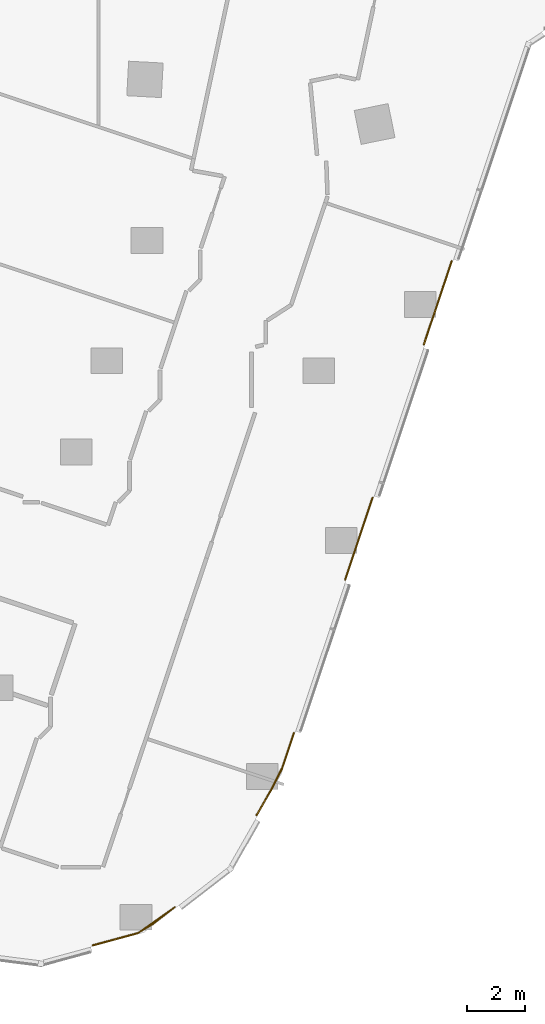
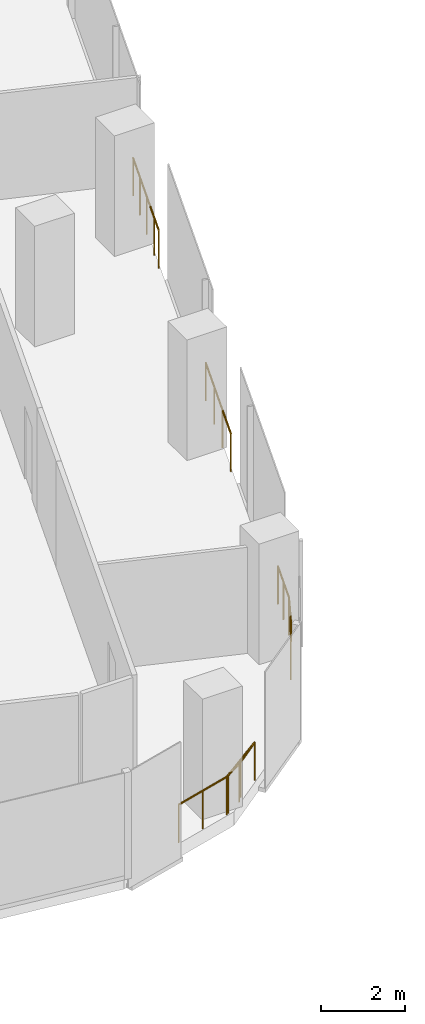
# One storey, part 30 of 34: 7 railings.
"""IFC4 building model written with IfcOpenShell, lengths in metres."""

import ifcopenshell
import ifcopenshell.guid

model = None  # the IFC model being written
_history = None  # IfcOwnerHistory: only IFC2X3 demands one
_inside = {}  # id of a spatial element -> (the spatial element, [elements in it])
_under = {}  # id of a project, library or spatial element -> (it, [spatial elements below it])
_declared = {}  # id of a project -> (the project, [libraries it declares])
_typed = {}  # id of a type object -> (the type object, [elements of that type])
_made_of = {}  # id of a material, layer set ... -> (it, [elements and type objects made of it])


def new_model(schema):
    """Start an empty IFC model of exactly this schema.

    Asked for "IFC4X3", IfcOpenShell would pick the latest addendum, in which some entities
    have other attributes; the version numbers below select the first issue.
    IFC2X3 requires an IfcOwnerHistory on every rooted entity: one is made here for all.
    """
    global model, _history
    if schema == "IFC4X3":
        model = ifcopenshell.file(schema_version=(4, 3, 0, 0))
    else:
        model = ifcopenshell.file(schema=schema)
    _inside.clear()
    _under.clear()
    _declared.clear()
    _typed.clear()
    _made_of.clear()
    _history = None
    if model.schema == "IFC2X3":
        org = make("IfcOrganization", Name="unknown")
        user = make(
            "IfcPersonAndOrganization",
            ThePerson=make("IfcPerson", FamilyName="unknown"),
            TheOrganization=org,
        )
        app = make(
            "IfcApplication",
            ApplicationDeveloper=org,
            Version="unknown",
            ApplicationFullName="unknown",
            ApplicationIdentifier="unknown",
        )
        _history = make(
            "IfcOwnerHistory",
            OwningUser=user,
            OwningApplication=app,
            ChangeAction="ADDED",
            CreationDate=0,
        )
    return model


def make(cls, **values):
    """One entity of the class cls with the attributes given. An attribute that is None is left unset."""
    return model.create_entity(
        cls, **{name: value for name, value in values.items() if value is not None}
    )


def rooted(cls, **values):
    """An entity with a GlobalId (a new one), such as an element, a storey or a relation."""
    return make(cls, GlobalId=ifcopenshell.guid.new(), OwnerHistory=_history, **values)


def si_unit(unit_type, name, prefix=None):
    """IfcSIUnit, for example si_unit("LENGTHUNIT", "METRE", prefix="MILLI")."""
    return make("IfcSIUnit", UnitType=unit_type, Prefix=prefix, Name=name)


def assignment(units):
    """IfcUnitAssignment: the units of a project."""
    return None if units is None else make("IfcUnitAssignment", Units=units)


def point(xyz):
    """IfcCartesianPoint."""
    return None if xyz is None else make("IfcCartesianPoint", Coordinates=xyz)


def direction(xyz):
    """IfcDirection."""
    return None if xyz is None else make("IfcDirection", DirectionRatios=xyz)


def frame(location, z_axis=None, x_axis=None):
    """IfcAxis2Placement3D, a coordinate frame: its origin and axes. An axis left out is left unset."""
    return make(
        "IfcAxis2Placement3D",
        Location=point(location),
        Axis=direction(z_axis),
        RefDirection=direction(x_axis),
    )


def frame_2d(location, x_axis=None):
    """IfcAxis2Placement2D, a coordinate frame in the plane: its origin and x axis."""
    return make(
        "IfcAxis2Placement2D", Location=point(location), RefDirection=direction(x_axis)
    )


def origin():
    """The frame at (0, 0, 0) with its axes left unset."""
    return frame((0.0, 0.0, 0.0))


def origin_2d():
    """The frame at (0, 0) in the plane with its x axis left unset."""
    return frame_2d((0.0, 0.0))


def place(relative_to, where):
    """IfcLocalPlacement: puts the frame where relative to a parent placement (None: the world)."""
    return make(
        "IfcLocalPlacement", PlacementRelTo=relative_to, RelativePlacement=where
    )


def context(
    kind, dimensions, precision=None, world=None, true_north=None, identifier=None
):
    """IfcGeometricRepresentationContext, for example the 3D "Model" context."""
    return make(
        "IfcGeometricRepresentationContext",
        ContextIdentifier=identifier,
        ContextType=kind,
        CoordinateSpaceDimension=dimensions,
        Precision=precision,
        WorldCoordinateSystem=world,
        TrueNorth=true_north,
    )


def subcontext(parent, identifier, kind, view, scale=None):
    """IfcGeometricRepresentationSubContext, for example "Body" below "Model"."""
    return make(
        "IfcGeometricRepresentationSubContext",
        ContextIdentifier=identifier,
        ContextType=kind,
        ParentContext=parent,
        TargetScale=scale,
        TargetView=view,
    )


def project(units=None, contexts=None):
    """IfcProject with its units and contexts."""
    return rooted(
        "IfcProject",
        Name="project",
        RepresentationContexts=contexts,
        UnitsInContext=assignment(units),
    )


def spatial(cls, under=None, at=None, **own):
    """A site, building, storey or space (cls), placed at a placement, below another one or the project."""
    s = rooted(cls, ObjectPlacement=at, **own)
    if under is not None:
        _under.setdefault(under.id(), (under, []))[1].append(s)
    return s


def profile(cls, at=None, kind="AREA", **sizes):
    """A parametric profile (cls). Its sizes go by their IFC names, for example OverallWidth=200.0."""
    return make(cls, ProfileType=kind, Position=at, **sizes)


def circle(**sizes):
    """IfcCircleProfileDef."""
    return profile("IfcCircleProfileDef", **sizes)


def extrude(swept, where, along, depth):
    """IfcExtrudedAreaSolid: the profile swept, set in the frame where, extruded along a direction by depth."""
    return make(
        "IfcExtrudedAreaSolid",
        SweptArea=swept,
        Position=where,
        ExtrudedDirection=direction(along),
        Depth=depth,
    )


def shape(context_of_items, identifier, shape_type, items):
    """IfcShapeRepresentation: the items that make up one representation, for example the "Body"."""
    return make(
        "IfcShapeRepresentation",
        ContextOfItems=context_of_items,
        RepresentationIdentifier=identifier,
        RepresentationType=shape_type,
        Items=items,
    )


def material(Name=None, Category=None):
    """IfcMaterial."""
    return make("IfcMaterial", Name=Name, Category=Category)


def made_of(thing, what):
    """Note that an element or type object is made of a material, layer set ...; save() writes the relation."""
    if what is not None:
        _made_of.setdefault(what.id(), (what, []))[1].append(thing)
    return thing


def type_object(cls, material=None, **own):
    """A type object (cls), such as IfcWallType, which elements share."""
    return made_of(rooted(cls, **own), material)


def element(
    cls,
    number,
    at=None,
    inside=None,
    cuts=None,
    type_object=None,
    material=None,
    context=None,
    identifier="Body",
    shape_type=None,
    held_by="IfcProductDefinitionShape",
    body=None,
    shapes=None,
    **own,
):
    """One element of the class cls, such as IfcWall. Its Tag is "e" and its number.

    at: its placement. inside: the storey or other place that contains it. cuts: it is an
    opening in that element (IfcRelVoidsElement). A single representation is given by context,
    identifier, shape_type and body (its items); several are given by shapes. held_by: the class
    of the entity that holds the representations. save() writes the other relations.
    """
    e = rooted(cls, Tag="e%d" % number, ObjectPlacement=at, **own)
    if body is not None:
        shapes = [shape(context, identifier, shape_type, body)]
    if shapes is not None:
        e.Representation = make(held_by, Representations=shapes)
    if inside is not None:
        _inside.setdefault(inside.id(), (inside, []))[1].append(e)
    if cuts is not None:
        rooted(
            "IfcRelVoidsElement", RelatingBuildingElement=cuts, RelatedOpeningElement=e
        )
    if type_object is not None:
        _typed.setdefault(type_object.id(), (type_object, []))[1].append(e)
    return made_of(e, material)


def aggregate(whole, parts):
    """IfcRelAggregates: a whole, such as a stair, and the parts it consists of."""
    return rooted("IfcRelAggregates", RelatingObject=whole, RelatedObjects=parts)


def save(model, path):
    """Write the relations noted so far, then the file.

    IfcRelAggregates (storeys below a building ...), IfcRelContainedInSpatialStructure (elements
    in a storey), IfcRelDefinesByType, IfcRelAssociatesMaterial and IfcRelDeclares: one each for
    every whole, place, type object, material and project.
    """
    for whole, parts in _under.values():
        aggregate(whole, parts)
    for where, things in _inside.values():
        rooted(
            "IfcRelContainedInSpatialStructure",
            RelatedElements=things,
            RelatingStructure=where,
        )
    for kind, things in _typed.values():
        rooted("IfcRelDefinesByType", RelatedObjects=things, RelatingType=kind)
    for what, things in _made_of.values():
        rooted("IfcRelAssociatesMaterial", RelatedObjects=things, RelatingMaterial=what)
    for by, libraries in _declared.values():
        rooted("IfcRelDeclares", RelatingContext=by, RelatedDefinitions=libraries)
    model.write(path)


model = new_model("IFC4")

# Units and contexts
model_context = context("Model", 3, precision=1e-05, world=origin(), true_north=direction((0.0, 1.0)))
body_context = subcontext(model_context, "Body", "Model", "MODEL_VIEW")
ifc_project = project(units=[si_unit("LENGTHUNIT", "METRE"), si_unit("AREAUNIT", "SQUARE_METRE"), si_unit("VOLUMEUNIT", "CUBIC_METRE"), si_unit("PLANEANGLEUNIT", "RADIAN"), si_unit("MASSUNIT", "GRAM", prefix="KILO")], contexts=[model_context])

# Site, building, storey
site_placement = place(None, origin())
site = spatial("IfcSite", under=ifc_project, at=site_placement, CompositionType="ELEMENT")
building_placement = place(site_placement, origin())
building = spatial("IfcBuilding", under=site, at=building_placement, Name="Orlundy Tower", CompositionType="ELEMENT")
storey_placement = place(building_placement, frame((0.0, 0.0, 145.60009765625)))
storey = spatial("IfcBuildingStorey", under=building, at=storey_placement, Name="L37", CompositionType="ELEMENT", Elevation=145.60009765625)

# Railings
ifc_material = material(Name="Stainless steel bronze finish", Category="steel")
railing_type = type_object("IfcRailingType", Name="TG1 terrace guard", PredefinedType="GUARDRAIL", material=ifc_material)
railing_1_placement = place(storey_placement, frame((3.542724609375, -52.315673828125, 0.0)))
element("IfcRailing", 1, at=railing_1_placement, inside=storey, type_object=railing_type, Name="Guard TG-L37-E03", PredefinedType="GUARDRAIL", context=body_context, shape_type="SweptSolid", body=[
    extrude(circle(Radius=0.02490234375, at=origin_2d()), frame((0.0, 0.0, 1.09521484375), z_axis=(-0.317344301055, -0.94831038937, 0.0), x_axis=(0.94831038937, -0.317344301055, 0.0)), (0.0, 0.0, 1.0), 1.311767578125),
    extrude(circle(Radius=0.02490234375, at=origin_2d()), frame((-0.416259765625, -1.243896484375, 1.09521484375), z_axis=(-0.455729014129, -0.890118568327, 0.0), x_axis=(0.890118568327, -0.455729014129, 0.0)), (0.0, 0.0, 1.0), 0.835205078125),
    extrude(circle(Radius=0.02490234375, at=origin_2d()), frame((-0.796875, -1.9873046875, 1.09521484375), z_axis=(-0.496217330647, -0.868198341836, 0.0), x_axis=(0.868198341836, -0.496217330647, 0.0)), (0.0, 0.0, 1.0), 1.006103515625),
    extrude(circle(Radius=0.02001953125, at=origin_2d()), origin(), (0.0, 0.0, 1.0), 1.070068359375),
    extrude(circle(Radius=0.02001953125, at=origin_2d()), frame((-0.2080078125, -0.6220703125, 0.0)), (0.0, 0.0, 1.0), 1.070068359375),
    extrude(circle(Radius=0.02001953125, at=origin_2d()), frame((-0.416259765625, -1.243896484375, 0.0)), (0.0, 0.0, 1.0), 1.070068359375),
    extrude(circle(Radius=0.02001953125, at=origin_2d()), frame((-0.796875, -1.9873046875, 0.0)), (0.0, 0.0, 1.0), 1.070068359375),
    extrude(circle(Radius=0.02001953125, at=origin_2d()), frame((-1.296142578125, -2.86083984375, 0.0)), (0.0, 0.0, 1.0), 1.070068359375),
])
railing_2_placement = place(storey_placement, frame((-1.87255859375, -59.263916015625, 0.0)))
element("IfcRailing", 2, at=railing_2_placement, inside=storey, type_object=railing_type, Name="Guard TG-L37-E04", PredefinedType="GUARDRAIL", context=body_context, shape_type="SweptSolid", body=[
    extrude(circle(Radius=0.02490234375, at=origin_2d()), frame((0.0, 0.0, 1.09521484375), z_axis=(0.818385064786, 0.574670240865, 0.0), x_axis=(-0.574670240865, 0.818385064786, 0.0)), (0.0, 0.0, 1.0), 1.57275390625),
    extrude(circle(Radius=0.02490234375, at=origin_2d()), frame((1.287109375, 0.90380859375, 1.09521484375), z_axis=(-0.790536165342, -0.612415358467, 0.0), x_axis=(0.612415358467, -0.790536165342, 0.0)), (0.0, 0.0, 1.0), 0.975830078125),
    extrude(circle(Radius=0.02490234375, at=origin_2d()), frame((0.515625, 0.30615234375, 1.09521484375), z_axis=(-0.859680895714, -0.510831437506, 0.0), x_axis=(0.510831437506, -0.859680895714, 0.0)), (0.0, 0.0, 1.0), 0.53955078125),
    extrude(circle(Radius=0.02001953125, at=origin_2d()), origin(), (0.0, 0.0, 1.0), 1.070068359375),
    extrude(circle(Radius=0.02001953125, at=origin_2d()), frame((0.6435546875, 0.451904296875, 0.0)), (0.0, 0.0, 1.0), 1.070068359375),
    extrude(circle(Radius=0.02001953125, at=origin_2d()), frame((1.287109375, 0.90380859375, 0.0)), (0.0, 0.0, 1.0), 1.070068359375),
    extrude(circle(Radius=0.02001953125, at=origin_2d()), frame((0.515625, 0.30615234375, 0.0)), (0.0, 0.0, 1.0), 1.070068359375),
    extrude(circle(Radius=0.02001953125, at=origin_2d()), frame((0.0517578125, 0.030517578125, 0.0)), (0.0, 0.0, 1.0), 1.070068359375),
])
railing_3_placement = place(storey_placement, frame((6.27392578125, -44.1533203125, 0.0)))
element("IfcRailing", 3, at=railing_3_placement, inside=storey, type_object=railing_type, Name="Guard TG-L37-E06", PredefinedType="GUARDRAIL", context=body_context, shape_type="SweptSolid", body=[
    extrude(circle(Radius=0.02490234375, at=origin_2d()), frame((0.0, 0.0, 1.09521484375), z_axis=(-0.317303721117, -0.948323968149, 0.0), x_axis=(0.948323968149, -0.317303721117, 0.0)), (0.0, 0.0, 1.0), 2.99462890625),
    extrude(circle(Radius=0.02001953125, at=origin_2d()), origin(), (0.0, 0.0, 1.0), 1.070068359375),
    extrude(circle(Radius=0.02001953125, at=origin_2d()), frame((-0.316650390625, -0.946533203125, 0.0)), (0.0, 0.0, 1.0), 1.070068359375),
    extrude(circle(Radius=0.02001953125, at=origin_2d()), frame((-0.633544921875, -1.893310546875, 0.0)), (0.0, 0.0, 1.0), 1.070068359375),
    extrude(circle(Radius=0.02001953125, at=origin_2d()), frame((-0.9501953125, -2.83984375, 0.0)), (0.0, 0.0, 1.0), 1.070068359375),
])
railing_4_placement = place(storey_placement, frame((9.023193359375, -35.93701171875, 0.0)))
element("IfcRailing", 4, at=railing_4_placement, inside=storey, type_object=railing_type, Name="Guard TG-L37-E021", PredefinedType="GUARDRAIL", context=body_context, shape_type="SweptSolid", body=[
    extrude(circle(Radius=0.02490234375, at=origin_2d()), frame((0.0, 0.0, 1.09521484375), z_axis=(-0.317261148656, -0.948338211586, 0.0), x_axis=(0.948338211586, -0.317261148656, 0.0)), (0.0, 0.0, 1.0), 1.6298828125),
    extrude(circle(Radius=0.02001953125, at=origin_2d()), origin(), (0.0, 0.0, 1.0), 1.070068359375),
    extrude(circle(Radius=0.02001953125, at=origin_2d()), frame((-0.258544921875, -0.77294921875, 0.0)), (0.0, 0.0, 1.0), 1.070068359375),
    extrude(circle(Radius=0.02001953125, at=origin_2d()), frame((-0.51708984375, -1.545654296875, 0.0)), (0.0, 0.0, 1.0), 1.070068359375),
])
railing_5_placement = place(storey_placement, frame((-1.87255859375, -59.263916015625, 0.0)))
element("IfcRailing", 5, at=railing_5_placement, inside=storey, type_object=railing_type, Name="Guard TG-L37-E022", PredefinedType="GUARDRAIL", context=body_context, shape_type="SweptSolid", body=[
    extrude(circle(Radius=0.02490234375, at=origin_2d()), frame((0.0, 0.0, 1.09521484375), z_axis=(-0.964763821238, -0.263117405792, 0.0), x_axis=(0.263117405792, -0.964763821238, 0.0)), (0.0, 0.0, 1.0), 1.625732421875),
    extrude(circle(Radius=0.02001953125, at=origin_2d()), origin(), (0.0, 0.0, 1.0), 1.070068359375),
    extrude(circle(Radius=0.02001953125, at=origin_2d()), frame((-0.7841796875, -0.2138671875, 0.0)), (0.0, 0.0, 1.0), 1.070068359375),
    extrude(circle(Radius=0.02001953125, at=origin_2d()), frame((-1.568359375, -0.427734375, 0.0)), (0.0, 0.0, 1.0), 1.070068359375),
])
railing_6_placement = place(storey_placement, frame((8.506103515625, -37.482666015625, 0.0)))
element("IfcRailing", 6, at=railing_6_placement, inside=storey, type_object=railing_type, Name="Guard TG-L37-E028", PredefinedType="GUARDRAIL", context=body_context, shape_type="SweptSolid", body=[
    extrude(circle(Radius=0.02490234375, at=origin_2d()), frame((0.0, 0.0, 1.09521484375), z_axis=(-0.317555213289, -0.948239783237, 0.0), x_axis=(0.948239783237, -0.317555213289, 0.0)), (0.0, 0.0, 1.0), 0.882568359375),
    extrude(circle(Radius=0.02001953125, at=origin_2d()), origin(), (0.0, 0.0, 1.0), 1.070068359375),
    extrude(circle(Radius=0.02001953125, at=origin_2d()), frame((-0.2802734375, -0.8369140625, 0.0)), (0.0, 0.0, 1.0), 1.070068359375),
])
railing_7_placement = place(storey_placement, frame((8.225830078125, -38.319580078125, 0.0)))
element("IfcRailing", 7, at=railing_7_placement, inside=storey, type_object=railing_type, Name="Guard TG-L37-E030", PredefinedType="GUARDRAIL", context=body_context, shape_type="SweptSolid", body=[
    extrude(circle(Radius=0.02490234375, at=origin_2d()), frame((0.0, 0.0, 1.09521484375), z_axis=(-0.317173723558, -0.948367454674, 0.0), x_axis=(0.948367454674, -0.317173723558, 0.0)), (0.0, 0.0, 1.0), 0.5419921875),
    extrude(circle(Radius=0.02001953125, at=origin_2d()), origin(), (0.0, 0.0, 1.0), 1.070068359375),
    extrude(circle(Radius=0.02001953125, at=origin_2d()), frame((-0.171875, -0.513916015625, 0.0)), (0.0, 0.0, 1.0), 1.070068359375),
])

save(model, "model.ifc")
